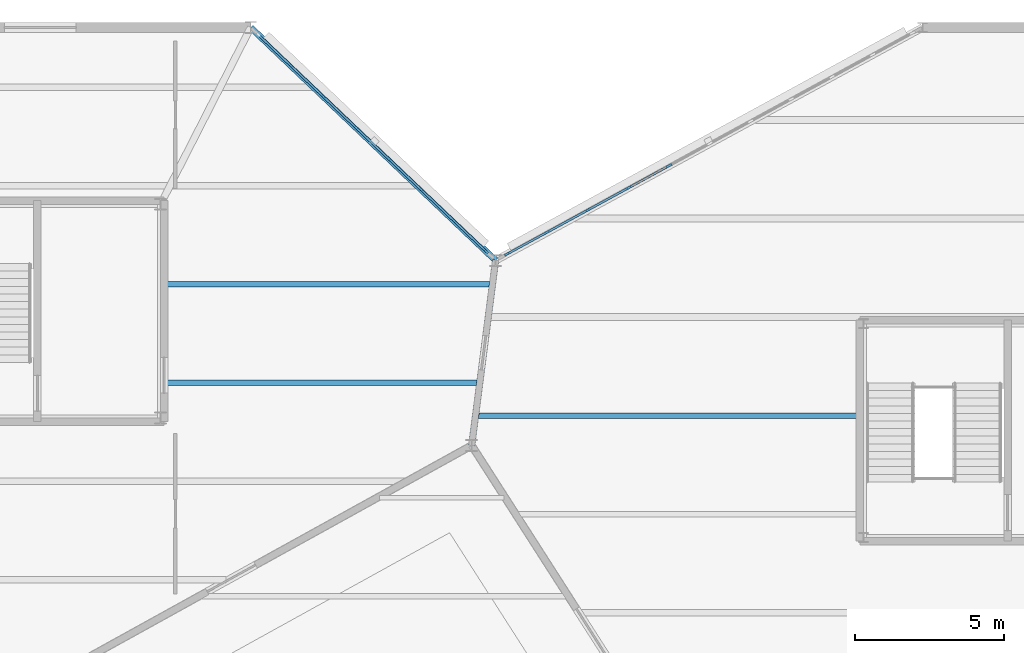
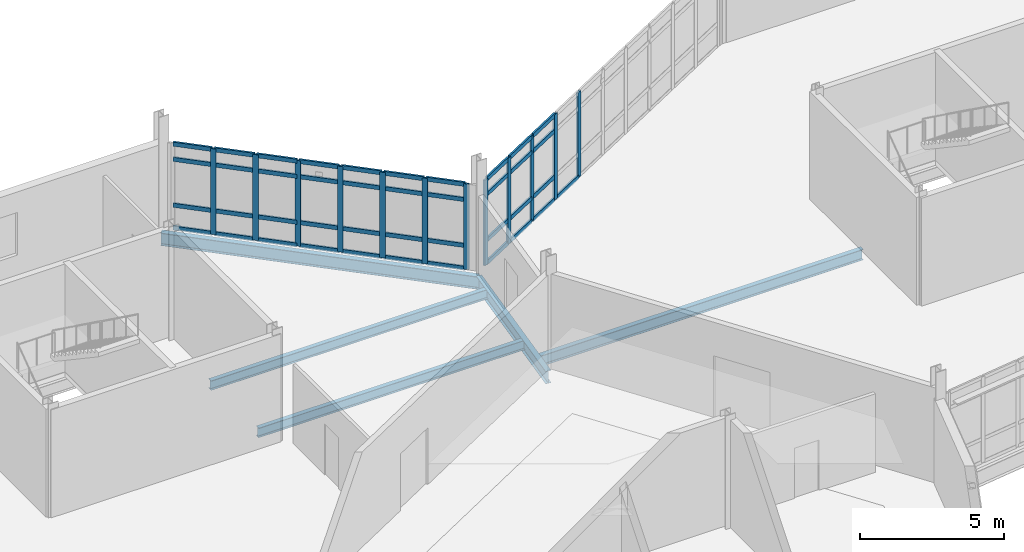
# One storey, part 78 of 134: 53 members, 5 beams, 2 elements without a shape of their own.
"""IFC4 building model written with IfcOpenShell, lengths in metres."""

from ifc_helpers import new_model, si_unit, direction, frame, origin, origin_2d, place, context, subcontext, project, spatial, rectangle, i_section, extrude, material, material_profile, profile_set, type_object, element, aggregate, save


model = new_model("IFC4")

# Units and contexts
model_context = context("Model", 3, precision=1e-05, world=origin(), true_north=direction((0.0, 1.0)))
body_context = subcontext(model_context, "Body", "Model", "MODEL_VIEW")
ifc_project = project(units=[si_unit("LENGTHUNIT", "METRE"), si_unit("AREAUNIT", "SQUARE_METRE"), si_unit("VOLUMEUNIT", "CUBIC_METRE"), si_unit("PLANEANGLEUNIT", "RADIAN"), si_unit("MASSUNIT", "GRAM", prefix="KILO")], contexts=[model_context])

# Site, building, storey
site_placement = place(None, origin())
site = spatial("IfcSite", under=ifc_project, at=site_placement, CompositionType="ELEMENT")
building_placement = place(site_placement, origin())
building = spatial("IfcBuilding", under=site, at=building_placement, Name="Tameran Prism Museum", CompositionType="ELEMENT")
storey_placement = place(building_placement, frame((0.0, 0.0, 5.39990234375)))
storey = spatial("IfcBuildingStorey", under=building, at=storey_placement, Name="L01", CompositionType="ELEMENT", Elevation=5.39990234375)

# Beams
ifc_material_1 = material(Name="Steel Grade 300PLUS (300 MPa)", Category="steel")
ifc_material_profile_1 = material_profile(ifc_material_1, i_section(OverallWidth=0.177978515625, OverallDepth=0.403076171875, WebThickness=0.007568359375, FlangeThickness=0.010986328125, FilletRadius=0.011474609375, at=origin_2d()))
ifc_profile_set_1 = profile_set([ifc_material_profile_1])
beam_type_1 = type_object("IfcBeamType", Name="BM-J410B", PredefinedType="JOIST", material=ifc_profile_set_1)
beam_1_placement = place(storey_placement, frame((124.47998046875, 100.10009765625, -0.4013671875), z_axis=(1.0, 0.0, 0.0), x_axis=(0.0, 1.0, 0.0)))
element("IfcBeam", 1, at=beam_1_placement, inside=storey, type_object=beam_type_1, Name="Floor Beam BM-0525", PredefinedType="JOIST", context=body_context, shape_type="SweptSolid", body=[
    extrude(i_section(OverallWidth=0.177978515625, OverallDepth=0.403076171875, WebThickness=0.007568359375, FlangeThickness=0.010986328125, FilletRadius=0.011474609375, at=origin_2d()), origin(), (0.0, 0.0, 1.0), 10.651123046875),
])
beam_2_placement = place(storey_placement, frame((124.47998046875, 103.39990234375, -0.4013671875), z_axis=(1.0, 0.0, 0.0), x_axis=(0.0, 1.0, 0.0)))
element("IfcBeam", 2, at=beam_2_placement, inside=storey, type_object=beam_type_1, Name="Floor Beam BM-0527", PredefinedType="JOIST", context=body_context, shape_type="SweptSolid", body=[
    extrude(i_section(OverallWidth=0.177978515625, OverallDepth=0.403076171875, WebThickness=0.007568359375, FlangeThickness=0.010986328125, FilletRadius=0.011474609375, at=origin_2d()), origin(), (0.0, 0.0, 1.0), 11.075927734375),
])
ifc_material_2 = material(Name="Steel Grade 300PLUS (300 MPa)", Category="steel")
ifc_material_profile_2 = material_profile(ifc_material_2, i_section(OverallWidth=0.18994140625, OverallDepth=0.4541015625, WebThickness=0.008544921875, FlangeThickness=0.0126953125, FilletRadius=0.011474609375, at=origin_2d()))
ifc_profile_set_2 = profile_set([ifc_material_profile_2])
beam_type_2 = type_object("IfcBeamType", Name="BM-J460B", PredefinedType="JOIST", material=ifc_profile_set_2)
beam_3_placement = place(storey_placement, frame((135.069091796875, 99.0, -0.427001953125), z_axis=(1.0, 0.0, 0.0), x_axis=(0.0, 1.0, 0.0)))
element("IfcBeam", 3, at=beam_3_placement, inside=storey, type_object=beam_type_2, Name="Floor Beam BM-0534", PredefinedType="JOIST", context=body_context, shape_type="SweptSolid", body=[
    extrude(i_section(OverallWidth=0.18994140625, OverallDepth=0.4541015625, WebThickness=0.008544921875, FlangeThickness=0.0126953125, FilletRadius=0.011474609375, at=origin_2d()), origin(), (0.0, 0.0, 1.0), 12.950927734375),
])
ifc_material_3 = material(Name="Steel Grade 300PLUS (300 MPa)", Category="steel")
ifc_material_profile_3 = material_profile(ifc_material_3, i_section(OverallWidth=0.208984375, OverallDepth=0.532958984375, WebThickness=0.01025390625, FlangeThickness=0.015625, FilletRadius=0.013916015625, at=origin_2d()))
ifc_profile_set_3 = profile_set([ifc_material_profile_3])
beam_type_3 = type_object("IfcBeamType", Name="BM-SP530A", PredefinedType="SPANDREL", material=ifc_profile_set_3)
beam_4_placement = place(storey_placement, frame((135.699951171875, 104.199951171875, -0.46630859375), z_axis=(-0.724553857676, 0.689218185575, 0.0), x_axis=(-0.689218185575, -0.724553857676, 0.0)))
element("IfcBeam", 4, at=beam_4_placement, inside=storey, type_object=beam_type_3, Name="Perimeter Spandrel SP-0336", PredefinedType="SPANDREL", context=body_context, shape_type="SweptSolid", body=[
    extrude(i_section(OverallWidth=0.208984375, OverallDepth=0.532958984375, WebThickness=0.01025390625, FlangeThickness=0.015625, FilletRadius=0.013916015625, at=origin_2d()), origin(), (0.0, 0.0, 1.0), 11.317138671875),
])
ifc_material_4 = material(Name="Steel Grade 300PLUS (300 MPa)", Category="steel")
ifc_material_profile_4 = material_profile(ifc_material_4, i_section(OverallWidth=0.208984375, OverallDepth=0.528076171875, WebThickness=0.009521484375, FlangeThickness=0.01318359375, FilletRadius=0.013916015625, at=origin_2d()))
ifc_profile_set_4 = profile_set([ifc_material_profile_4])
beam_type_4 = type_object("IfcBeamType", Name="BM-SP530B", PredefinedType="SPANDREL", material=ifc_profile_set_4)
beam_5_placement = place(storey_placement, frame((134.89990234375, 98.0, -0.4638671875), z_axis=(0.127980011854, 0.991776747341, 0.0), x_axis=(-0.991776747341, 0.127980011854, 0.0)))
element("IfcBeam", 5, at=beam_5_placement, inside=storey, type_object=beam_type_4, Name="Perimeter Spandrel SP-0335", PredefinedType="SPANDREL", context=body_context, shape_type="SweptSolid", body=[
    extrude(i_section(OverallWidth=0.208984375, OverallDepth=0.528076171875, WebThickness=0.009521484375, FlangeThickness=0.01318359375, FilletRadius=0.013916015625, at=origin_2d()), origin(), (0.0, 0.0, 1.0), 6.25146484375),
])

# Curtain wall, members
ifc_material_5 = material(Name="Anodised Aluminium 6063-T6 and Cyclone Solar Glass", Category="aluminium")
curtain_wall_type_1 = type_object("IfcCurtainWallType", Name="CW-FAC-1056x362", PredefinedType="USERDEFINED", material=ifc_material_5)
curtain_wall_1_placement = place(storey_placement, origin())
curtain_wall_1 = element("IfcCurtainWall", 6, at=curtain_wall_1_placement, inside=storey, type_object=curtain_wall_type_1, Name="Unitised Curtain Wall CW-057", ObjectType="UNITISED CURTAIN WALL", PredefinedType="USERDEFINED")
ifc_material_6 = material(Name="Anodised Aluminium Alloy 6063-T6", Category="aluminium")
ifc_material_profile_5 = material_profile(ifc_material_6, rectangle(XDim=0.074951171875, YDim=0.199951171875, at=origin_2d()))
ifc_profile_set_5 = profile_set([ifc_material_profile_5])
member_type_1 = type_object("IfcMemberType", Name="CW-MUL-C", PredefinedType="MULLION", material=ifc_profile_set_5)
member_1_placement = place(storey_placement, frame((128.8466796875, 110.719482421875, 0.0), z_axis=(0.0, 0.0, 1.0), x_axis=(0.689269554042, 0.724504990922, 0.0)))
member_1 = element("IfcMember", 7, at=member_1_placement, type_object=member_type_1, Name="CW-057 mullion 2", PredefinedType="MULLION", context=body_context, shape_type="SweptSolid", body=[
    extrude(rectangle(XDim=0.074951171875, YDim=0.199951171875, at=origin_2d()), origin(), (0.0, 0.0, 1.0), 3.6201171875),
])
member_2_placement = place(storey_placement, frame((129.939453125, 109.679931640625, 0.0), z_axis=(0.0, 0.0, 1.0), x_axis=(0.689269554042, 0.724504990922, 0.0)))
member_2 = element("IfcMember", 8, at=member_2_placement, type_object=member_type_1, Name="CW-057 mullion 3", PredefinedType="MULLION", context=body_context, shape_type="SweptSolid", body=[
    extrude(rectangle(XDim=0.074951171875, YDim=0.199951171875, at=origin_2d()), origin(), (0.0, 0.0, 1.0), 3.6201171875),
])
member_3_placement = place(storey_placement, frame((131.0322265625, 108.640380859375, 0.0), z_axis=(0.0, 0.0, 1.0), x_axis=(0.689269554042, 0.724504990922, 0.0)))
member_3 = element("IfcMember", 9, at=member_3_placement, type_object=member_type_1, Name="CW-057 mullion 4", PredefinedType="MULLION", context=body_context, shape_type="SweptSolid", body=[
    extrude(rectangle(XDim=0.074951171875, YDim=0.199951171875, at=origin_2d()), origin(), (0.0, 0.0, 1.0), 3.6201171875),
])
member_4_placement = place(storey_placement, frame((132.124755859375, 107.600830078125, 0.0), z_axis=(0.0, 0.0, 1.0), x_axis=(0.689269554042, 0.724504990922, 0.0)))
member_4 = element("IfcMember", 10, at=member_4_placement, type_object=member_type_1, Name="CW-057 mullion 5", PredefinedType="MULLION", context=body_context, shape_type="SweptSolid", body=[
    extrude(rectangle(XDim=0.074951171875, YDim=0.199951171875, at=origin_2d()), origin(), (0.0, 0.0, 1.0), 3.6201171875),
])
member_5_placement = place(storey_placement, frame((133.217529296875, 106.56103515625, 0.0), z_axis=(0.0, 0.0, 1.0), x_axis=(0.689269554042, 0.724504990922, 0.0)))
member_5 = element("IfcMember", 11, at=member_5_placement, type_object=member_type_1, Name="CW-057 mullion 6", PredefinedType="MULLION", context=body_context, shape_type="SweptSolid", body=[
    extrude(rectangle(XDim=0.074951171875, YDim=0.199951171875, at=origin_2d()), origin(), (0.0, 0.0, 1.0), 3.6201171875),
])
member_6_placement = place(storey_placement, frame((134.310302734375, 105.521484375, 0.0), z_axis=(0.0, 0.0, 1.0), x_axis=(0.689269554042, 0.724504990922, 0.0)))
member_6 = element("IfcMember", 12, at=member_6_placement, type_object=member_type_1, Name="CW-057 mullion 7", PredefinedType="MULLION", context=body_context, shape_type="SweptSolid", body=[
    extrude(rectangle(XDim=0.074951171875, YDim=0.199951171875, at=origin_2d()), origin(), (0.0, 0.0, 1.0), 3.6201171875),
])
member_7_placement = place(storey_placement, frame((135.375732421875, 104.5078125, 0.0), z_axis=(0.0, 0.0, 1.0), x_axis=(0.689269554042, 0.724504990922, 0.0)))
member_7 = element("IfcMember", 13, at=member_7_placement, type_object=member_type_1, Name="CW-057 mullion 8", PredefinedType="MULLION", context=body_context, shape_type="SweptSolid", body=[
    extrude(rectangle(XDim=0.074951171875, YDim=0.199951171875, at=origin_2d()), origin(), (0.0, 0.0, 1.0), 3.6201171875),
])

ifc_material_7 = material(Name="Anodised Aluminium 6063-T6 and Cyclone Solar Glass", Category="aluminium")
curtain_wall_type_2 = type_object("IfcCurtainWallType", Name="CW-FAC-1553x362", PredefinedType="USERDEFINED", material=ifc_material_7)
curtain_wall_2_placement = place(storey_placement, origin())
curtain_wall_2 = element("IfcCurtainWall", 14, at=curtain_wall_2_placement, inside=storey, type_object=curtain_wall_type_2, Name="Unitised Curtain Wall CW-061", ObjectType="UNITISED CURTAIN WALL", PredefinedType="USERDEFINED")
member_8_placement = place(storey_placement, frame((136.093017578125, 104.4150390625, 0.0), z_axis=(0.0, 0.0, 1.0), x_axis=(-0.478793474805, 0.877927564486, 0.0)))
member_8 = element("IfcMember", 15, at=member_8_placement, type_object=member_type_1, Name="CW-061 mullion 1", PredefinedType="MULLION", context=body_context, shape_type="SweptSolid", body=[
    extrude(rectangle(XDim=0.074951171875, YDim=0.199951171875, at=origin_2d()), origin(), (0.0, 0.0, 1.0), 3.6201171875),
])
member_9_placement = place(storey_placement, frame((137.42333984375, 105.140380859375, 0.0), z_axis=(0.0, 0.0, 1.0), x_axis=(-0.478793474805, 0.877927564486, 0.0)))
member_9 = element("IfcMember", 16, at=member_9_placement, type_object=member_type_1, Name="CW-061 mullion 2", PredefinedType="MULLION", context=body_context, shape_type="SweptSolid", body=[
    extrude(rectangle(XDim=0.074951171875, YDim=0.199951171875, at=origin_2d()), origin(), (0.0, 0.0, 1.0), 3.6201171875),
])
member_10_placement = place(storey_placement, frame((138.78662109375, 105.884033203125, 0.0), z_axis=(0.0, 0.0, 1.0), x_axis=(-0.478793474805, 0.877927564486, 0.0)))
member_10 = element("IfcMember", 17, at=member_10_placement, type_object=member_type_1, Name="CW-061 mullion 3", PredefinedType="MULLION", context=body_context, shape_type="SweptSolid", body=[
    extrude(rectangle(XDim=0.074951171875, YDim=0.199951171875, at=origin_2d()), origin(), (0.0, 0.0, 1.0), 3.6201171875),
])
member_11_placement = place(storey_placement, frame((140.14990234375, 106.62744140625, 0.0), z_axis=(0.0, 0.0, 1.0), x_axis=(-0.478793474805, 0.877927564486, 0.0)))
member_11 = element("IfcMember", 18, at=member_11_placement, type_object=member_type_1, Name="CW-061 mullion 4", PredefinedType="MULLION", context=body_context, shape_type="SweptSolid", body=[
    extrude(rectangle(XDim=0.074951171875, YDim=0.199951171875, at=origin_2d()), origin(), (0.0, 0.0, 1.0), 3.6201171875),
])
member_12_placement = place(storey_placement, frame((141.51318359375, 107.37109375, 0.0), z_axis=(0.0, 0.0, 1.0), x_axis=(-0.478793474805, 0.877927564486, 0.0)))
member_12 = element("IfcMember", 19, at=member_12_placement, type_object=member_type_1, Name="CW-061 mullion 5", PredefinedType="MULLION", context=body_context, shape_type="SweptSolid", body=[
    extrude(rectangle(XDim=0.074951171875, YDim=0.199951171875, at=origin_2d()), origin(), (0.0, 0.0, 1.0), 3.6201171875),
])

# Member
ifc_material_8 = material(Name="Anodised Aluminium Alloy 6063-T6", Category="aluminium")
ifc_material_profile_6 = material_profile(ifc_material_8, rectangle(XDim=0.074951171875, YDim=0.175048828125, at=origin_2d()))
ifc_profile_set_6 = profile_set([ifc_material_profile_6])
member_type_2 = type_object("IfcMemberType", Name="CW-TRN-C", PredefinedType="USERDEFINED", material=ifc_profile_set_6)
member_13_placement = place(storey_placement, frame((127.808349609375, 111.707275390625, 0.03759765625), z_axis=(0.724553800457, -0.689218245727, 0.0), x_axis=(0.689218245727, 0.724553800457, 0.0)))
member_13 = element("IfcMember", 20, at=member_13_placement, type_object=member_type_2, Name="CW-057 transom 1.1", ObjectType="TRANSOM", PredefinedType="USERDEFINED", context=body_context, shape_type="SweptSolid", body=[
    extrude(rectangle(XDim=0.074951171875, YDim=0.175048828125, at=origin_2d()), origin(), (0.0, 0.0, 1.0), 1.395751953125),
])

member_14_placement = place(storey_placement, frame((127.808349609375, 111.707275390625, 1.0), z_axis=(0.724553800457, -0.689218245727, 0.0), x_axis=(0.689218245727, 0.724553800457, 0.0)))
member_14 = element("IfcMember", 21, at=member_14_placement, type_object=member_type_2, Name="CW-057 transom 1.2", ObjectType="TRANSOM", PredefinedType="USERDEFINED", context=body_context, shape_type="SweptSolid", body=[
    extrude(rectangle(XDim=0.074951171875, YDim=0.175048828125, at=origin_2d()), origin(), (0.0, 0.0, 1.0), 1.395751953125),
])

member_15_placement = place(storey_placement, frame((127.808349609375, 111.707275390625, 2.940185546875), z_axis=(0.724553800457, -0.689218245727, 0.0), x_axis=(0.689218245727, 0.724553800457, 0.0)))
member_15 = element("IfcMember", 22, at=member_15_placement, type_object=member_type_2, Name="CW-057 transom 1.3", ObjectType="TRANSOM", PredefinedType="USERDEFINED", context=body_context, shape_type="SweptSolid", body=[
    extrude(rectangle(XDim=0.074951171875, YDim=0.175048828125, at=origin_2d()), origin(), (0.0, 0.0, 1.0), 1.395751953125),
])

member_16_placement = place(storey_placement, frame((127.808349609375, 111.707275390625, 3.58251953125), z_axis=(0.724553800457, -0.689218245727, 0.0), x_axis=(0.689218245727, 0.724553800457, 0.0)))
member_16 = element("IfcMember", 23, at=member_16_placement, type_object=member_type_2, Name="CW-057 transom 1.4", ObjectType="TRANSOM", PredefinedType="USERDEFINED", context=body_context, shape_type="SweptSolid", body=[
    extrude(rectangle(XDim=0.074951171875, YDim=0.175048828125, at=origin_2d()), origin(), (0.0, 0.0, 1.0), 1.395751953125),
])

member_17_placement = place(storey_placement, frame((128.873779296875, 110.693603515625, 0.03759765625), z_axis=(0.724599553283, -0.689170144001, 0.0), x_axis=(0.689170144001, 0.724599553283, 0.0)))
member_17 = element("IfcMember", 24, at=member_17_placement, type_object=member_type_2, Name="CW-057 transom 2.1", ObjectType="TRANSOM", PredefinedType="USERDEFINED", context=body_context, shape_type="SweptSolid", body=[
    extrude(rectangle(XDim=0.074951171875, YDim=0.175048828125, at=origin_2d()), origin(), (0.0, 0.0, 1.0), 1.433349609375),
])

member_18_placement = place(storey_placement, frame((128.873779296875, 110.693603515625, 1.0), z_axis=(0.724599553283, -0.689170144001, 0.0), x_axis=(0.689170144001, 0.724599553283, 0.0)))
member_18 = element("IfcMember", 25, at=member_18_placement, type_object=member_type_2, Name="CW-057 transom 2.2", ObjectType="TRANSOM", PredefinedType="USERDEFINED", context=body_context, shape_type="SweptSolid", body=[
    extrude(rectangle(XDim=0.074951171875, YDim=0.175048828125, at=origin_2d()), origin(), (0.0, 0.0, 1.0), 1.433349609375),
])

member_19_placement = place(storey_placement, frame((128.873779296875, 110.693603515625, 2.940185546875), z_axis=(0.724599553283, -0.689170144001, 0.0), x_axis=(0.689170144001, 0.724599553283, 0.0)))
member_19 = element("IfcMember", 26, at=member_19_placement, type_object=member_type_2, Name="CW-057 transom 2.3", ObjectType="TRANSOM", PredefinedType="USERDEFINED", context=body_context, shape_type="SweptSolid", body=[
    extrude(rectangle(XDim=0.074951171875, YDim=0.175048828125, at=origin_2d()), origin(), (0.0, 0.0, 1.0), 1.433349609375),
])

member_20_placement = place(storey_placement, frame((128.873779296875, 110.693603515625, 3.58251953125), z_axis=(0.724599553283, -0.689170144001, 0.0), x_axis=(0.689170144001, 0.724599553283, 0.0)))
member_20 = element("IfcMember", 27, at=member_20_placement, type_object=member_type_2, Name="CW-057 transom 2.4", ObjectType="TRANSOM", PredefinedType="USERDEFINED", context=body_context, shape_type="SweptSolid", body=[
    extrude(rectangle(XDim=0.074951171875, YDim=0.175048828125, at=origin_2d()), origin(), (0.0, 0.0, 1.0), 1.433349609375),
])

member_21_placement = place(storey_placement, frame((129.966552734375, 109.654052734375, 0.03759765625), z_axis=(0.724433570407, -0.689344617784, 0.0), x_axis=(0.689344617784, 0.724433570407, 0.0)))
member_21 = element("IfcMember", 28, at=member_21_placement, type_object=member_type_2, Name="CW-057 transom 3.1", ObjectType="TRANSOM", PredefinedType="USERDEFINED", context=body_context, shape_type="SweptSolid", body=[
    extrude(rectangle(XDim=0.074951171875, YDim=0.175048828125, at=origin_2d()), origin(), (0.0, 0.0, 1.0), 1.433349609375),
])

member_22_placement = place(storey_placement, frame((129.966552734375, 109.654052734375, 1.0), z_axis=(0.724433570407, -0.689344617784, 0.0), x_axis=(0.689344617784, 0.724433570407, 0.0)))
member_22 = element("IfcMember", 29, at=member_22_placement, type_object=member_type_2, Name="CW-057 transom 3.2", ObjectType="TRANSOM", PredefinedType="USERDEFINED", context=body_context, shape_type="SweptSolid", body=[
    extrude(rectangle(XDim=0.074951171875, YDim=0.175048828125, at=origin_2d()), origin(), (0.0, 0.0, 1.0), 1.433349609375),
])

member_23_placement = place(storey_placement, frame((129.966552734375, 109.654052734375, 2.940185546875), z_axis=(0.724433570407, -0.689344617784, 0.0), x_axis=(0.689344617784, 0.724433570407, 0.0)))
member_23 = element("IfcMember", 30, at=member_23_placement, type_object=member_type_2, Name="CW-057 transom 3.3", ObjectType="TRANSOM", PredefinedType="USERDEFINED", context=body_context, shape_type="SweptSolid", body=[
    extrude(rectangle(XDim=0.074951171875, YDim=0.175048828125, at=origin_2d()), origin(), (0.0, 0.0, 1.0), 1.433349609375),
])

member_24_placement = place(storey_placement, frame((129.966552734375, 109.654052734375, 3.58251953125), z_axis=(0.724433570407, -0.689344617784, 0.0), x_axis=(0.689344617784, 0.724433570407, 0.0)))
member_24 = element("IfcMember", 31, at=member_24_placement, type_object=member_type_2, Name="CW-057 transom 3.4", ObjectType="TRANSOM", PredefinedType="USERDEFINED", context=body_context, shape_type="SweptSolid", body=[
    extrude(rectangle(XDim=0.074951171875, YDim=0.175048828125, at=origin_2d()), origin(), (0.0, 0.0, 1.0), 1.433349609375),
])

member_25_placement = place(storey_placement, frame((131.059326171875, 108.614501953125, 0.03759765625), z_axis=(0.724433570407, -0.689344617784, 0.0), x_axis=(0.689344617784, 0.724433570407, 0.0)))
member_25 = element("IfcMember", 32, at=member_25_placement, type_object=member_type_2, Name="CW-057 transom 4.1", ObjectType="TRANSOM", PredefinedType="USERDEFINED", context=body_context, shape_type="SweptSolid", body=[
    extrude(rectangle(XDim=0.074951171875, YDim=0.175048828125, at=origin_2d()), origin(), (0.0, 0.0, 1.0), 1.433349609375),
])

member_26_placement = place(storey_placement, frame((131.059326171875, 108.614501953125, 1.0), z_axis=(0.724433570407, -0.689344617784, 0.0), x_axis=(0.689344617784, 0.724433570407, 0.0)))
member_26 = element("IfcMember", 33, at=member_26_placement, type_object=member_type_2, Name="CW-057 transom 4.2", ObjectType="TRANSOM", PredefinedType="USERDEFINED", context=body_context, shape_type="SweptSolid", body=[
    extrude(rectangle(XDim=0.074951171875, YDim=0.175048828125, at=origin_2d()), origin(), (0.0, 0.0, 1.0), 1.433349609375),
])

member_27_placement = place(storey_placement, frame((131.059326171875, 108.614501953125, 2.940185546875), z_axis=(0.724433570407, -0.689344617784, 0.0), x_axis=(0.689344617784, 0.724433570407, 0.0)))
member_27 = element("IfcMember", 34, at=member_27_placement, type_object=member_type_2, Name="CW-057 transom 4.3", ObjectType="TRANSOM", PredefinedType="USERDEFINED", context=body_context, shape_type="SweptSolid", body=[
    extrude(rectangle(XDim=0.074951171875, YDim=0.175048828125, at=origin_2d()), origin(), (0.0, 0.0, 1.0), 1.433349609375),
])

member_28_placement = place(storey_placement, frame((131.059326171875, 108.614501953125, 3.58251953125), z_axis=(0.724433570407, -0.689344617784, 0.0), x_axis=(0.689344617784, 0.724433570407, 0.0)))
member_28 = element("IfcMember", 35, at=member_28_placement, type_object=member_type_2, Name="CW-057 transom 4.4", ObjectType="TRANSOM", PredefinedType="USERDEFINED", context=body_context, shape_type="SweptSolid", body=[
    extrude(rectangle(XDim=0.074951171875, YDim=0.175048828125, at=origin_2d()), origin(), (0.0, 0.0, 1.0), 1.433349609375),
])

member_29_placement = place(storey_placement, frame((132.152099609375, 107.574951171875, 0.03759765625), z_axis=(0.724433570407, -0.689344617784, 0.0), x_axis=(0.689344617784, 0.724433570407, 0.0)))
member_29 = element("IfcMember", 36, at=member_29_placement, type_object=member_type_2, Name="CW-057 transom 5.1", ObjectType="TRANSOM", PredefinedType="USERDEFINED", context=body_context, shape_type="SweptSolid", body=[
    extrude(rectangle(XDim=0.074951171875, YDim=0.175048828125, at=origin_2d()), origin(), (0.0, 0.0, 1.0), 1.433349609375),
])

member_30_placement = place(storey_placement, frame((132.152099609375, 107.574951171875, 1.0), z_axis=(0.724433570407, -0.689344617784, 0.0), x_axis=(0.689344617784, 0.724433570407, 0.0)))
member_30 = element("IfcMember", 37, at=member_30_placement, type_object=member_type_2, Name="CW-057 transom 5.2", ObjectType="TRANSOM", PredefinedType="USERDEFINED", context=body_context, shape_type="SweptSolid", body=[
    extrude(rectangle(XDim=0.074951171875, YDim=0.175048828125, at=origin_2d()), origin(), (0.0, 0.0, 1.0), 1.433349609375),
])

member_31_placement = place(storey_placement, frame((132.152099609375, 107.574951171875, 2.940185546875), z_axis=(0.724433570407, -0.689344617784, 0.0), x_axis=(0.689344617784, 0.724433570407, 0.0)))
member_31 = element("IfcMember", 38, at=member_31_placement, type_object=member_type_2, Name="CW-057 transom 5.3", ObjectType="TRANSOM", PredefinedType="USERDEFINED", context=body_context, shape_type="SweptSolid", body=[
    extrude(rectangle(XDim=0.074951171875, YDim=0.175048828125, at=origin_2d()), origin(), (0.0, 0.0, 1.0), 1.433349609375),
])

member_32_placement = place(storey_placement, frame((132.152099609375, 107.574951171875, 3.58251953125), z_axis=(0.724433570407, -0.689344617784, 0.0), x_axis=(0.689344617784, 0.724433570407, 0.0)))
member_32 = element("IfcMember", 39, at=member_32_placement, type_object=member_type_2, Name="CW-057 transom 5.4", ObjectType="TRANSOM", PredefinedType="USERDEFINED", context=body_context, shape_type="SweptSolid", body=[
    extrude(rectangle(XDim=0.074951171875, YDim=0.175048828125, at=origin_2d()), origin(), (0.0, 0.0, 1.0), 1.433349609375),
])

member_33_placement = place(storey_placement, frame((133.24462890625, 106.535400390625, 0.03759765625), z_axis=(0.724514497805, -0.689259561029, 0.0), x_axis=(0.689259561029, 0.724514497805, 0.0)))
member_33 = element("IfcMember", 40, at=member_33_placement, type_object=member_type_2, Name="CW-057 transom 6.1", ObjectType="TRANSOM", PredefinedType="USERDEFINED", context=body_context, shape_type="SweptSolid", body=[
    extrude(rectangle(XDim=0.074951171875, YDim=0.175048828125, at=origin_2d()), origin(), (0.0, 0.0, 1.0), 1.43359375),
])

member_34_placement = place(storey_placement, frame((133.24462890625, 106.535400390625, 1.0), z_axis=(0.724514497805, -0.689259561029, 0.0), x_axis=(0.689259561029, 0.724514497805, 0.0)))
member_34 = element("IfcMember", 41, at=member_34_placement, type_object=member_type_2, Name="CW-057 transom 6.2", ObjectType="TRANSOM", PredefinedType="USERDEFINED", context=body_context, shape_type="SweptSolid", body=[
    extrude(rectangle(XDim=0.074951171875, YDim=0.175048828125, at=origin_2d()), origin(), (0.0, 0.0, 1.0), 1.43359375),
])

member_35_placement = place(storey_placement, frame((133.24462890625, 106.535400390625, 2.940185546875), z_axis=(0.724514497805, -0.689259561029, 0.0), x_axis=(0.689259561029, 0.724514497805, 0.0)))
member_35 = element("IfcMember", 42, at=member_35_placement, type_object=member_type_2, Name="CW-057 transom 6.3", ObjectType="TRANSOM", PredefinedType="USERDEFINED", context=body_context, shape_type="SweptSolid", body=[
    extrude(rectangle(XDim=0.074951171875, YDim=0.175048828125, at=origin_2d()), origin(), (0.0, 0.0, 1.0), 1.43359375),
])

member_36_placement = place(storey_placement, frame((133.24462890625, 106.535400390625, 3.58251953125), z_axis=(0.724514497805, -0.689259561029, 0.0), x_axis=(0.689259561029, 0.724514497805, 0.0)))
member_36 = element("IfcMember", 43, at=member_36_placement, type_object=member_type_2, Name="CW-057 transom 6.4", ObjectType="TRANSOM", PredefinedType="USERDEFINED", context=body_context, shape_type="SweptSolid", body=[
    extrude(rectangle(XDim=0.074951171875, YDim=0.175048828125, at=origin_2d()), origin(), (0.0, 0.0, 1.0), 1.43359375),
])

member_37_placement = place(storey_placement, frame((134.33740234375, 105.49560546875, 0.03759765625), z_axis=(0.724553800457, -0.689218245727, 0.0), x_axis=(0.689218245727, 0.724553800457, 0.0)))
member_37 = element("IfcMember", 44, at=member_37_placement, type_object=member_type_2, Name="CW-057 transom 7.1", ObjectType="TRANSOM", PredefinedType="USERDEFINED", context=body_context, shape_type="SweptSolid", body=[
    extrude(rectangle(XDim=0.074951171875, YDim=0.175048828125, at=origin_2d()), origin(), (0.0, 0.0, 1.0), 1.395751953125),
])

member_38_placement = place(storey_placement, frame((134.33740234375, 105.49560546875, 1.0), z_axis=(0.724553800457, -0.689218245727, 0.0), x_axis=(0.689218245727, 0.724553800457, 0.0)))
member_38 = element("IfcMember", 45, at=member_38_placement, type_object=member_type_2, Name="CW-057 transom 7.2", ObjectType="TRANSOM", PredefinedType="USERDEFINED", context=body_context, shape_type="SweptSolid", body=[
    extrude(rectangle(XDim=0.074951171875, YDim=0.175048828125, at=origin_2d()), origin(), (0.0, 0.0, 1.0), 1.395751953125),
])

member_39_placement = place(storey_placement, frame((134.33740234375, 105.49560546875, 2.940185546875), z_axis=(0.724553800457, -0.689218245727, 0.0), x_axis=(0.689218245727, 0.724553800457, 0.0)))
member_39 = element("IfcMember", 46, at=member_39_placement, type_object=member_type_2, Name="CW-057 transom 7.3", ObjectType="TRANSOM", PredefinedType="USERDEFINED", context=body_context, shape_type="SweptSolid", body=[
    extrude(rectangle(XDim=0.074951171875, YDim=0.175048828125, at=origin_2d()), origin(), (0.0, 0.0, 1.0), 1.395751953125),
])

member_40_placement = place(storey_placement, frame((134.33740234375, 105.49560546875, 3.58251953125), z_axis=(0.724553800457, -0.689218245727, 0.0), x_axis=(0.689218245727, 0.724553800457, 0.0)))
member_40 = element("IfcMember", 47, at=member_40_placement, type_object=member_type_2, Name="CW-057 transom 7.4", ObjectType="TRANSOM", PredefinedType="USERDEFINED", context=body_context, shape_type="SweptSolid", body=[
    extrude(rectangle(XDim=0.074951171875, YDim=0.175048828125, at=origin_2d()), origin(), (0.0, 0.0, 1.0), 1.395751953125),
])

aggregate(curtain_wall_1, [member_1, member_2, member_3, member_4, member_5, member_6, member_7, member_13, member_14, member_15, member_16, member_17, member_18, member_19, member_20, member_21, member_22, member_23, member_24, member_25, member_26, member_27, member_28, member_29, member_30, member_31, member_32, member_33, member_34, member_35, member_36, member_37, member_38, member_39, member_40])

member_41_placement = place(storey_placement, frame((136.125732421875, 104.432861328125, 0.03759765625), z_axis=(0.877927956415, 0.478792756153, 0.0), x_axis=(-0.478792756153, 0.877927956415, 0.0)))
member_41 = element("IfcMember", 48, at=member_41_placement, type_object=member_type_2, Name="CW-061 transom 1.1", ObjectType="TRANSOM", PredefinedType="USERDEFINED", context=body_context, shape_type="SweptSolid", body=[
    extrude(rectangle(XDim=0.074951171875, YDim=0.175048828125, at=origin_2d()), origin(), (0.0, 0.0, 1.0), 1.4404296875),
])

member_42_placement = place(storey_placement, frame((136.125732421875, 104.432861328125, 1.0), z_axis=(0.877927956415, 0.478792756153, 0.0), x_axis=(-0.478792756153, 0.877927956415, 0.0)))
member_42 = element("IfcMember", 49, at=member_42_placement, type_object=member_type_2, Name="CW-061 transom 1.2", ObjectType="TRANSOM", PredefinedType="USERDEFINED", context=body_context, shape_type="SweptSolid", body=[
    extrude(rectangle(XDim=0.074951171875, YDim=0.175048828125, at=origin_2d()), origin(), (0.0, 0.0, 1.0), 1.4404296875),
])

member_43_placement = place(storey_placement, frame((136.125732421875, 104.432861328125, 2.940185546875), z_axis=(0.877927956415, 0.478792756153, 0.0), x_axis=(-0.478792756153, 0.877927956415, 0.0)))
member_43 = element("IfcMember", 50, at=member_43_placement, type_object=member_type_2, Name="CW-061 transom 1.3", ObjectType="TRANSOM", PredefinedType="USERDEFINED", context=body_context, shape_type="SweptSolid", body=[
    extrude(rectangle(XDim=0.074951171875, YDim=0.175048828125, at=origin_2d()), origin(), (0.0, 0.0, 1.0), 1.4404296875),
])

member_44_placement = place(storey_placement, frame((136.125732421875, 104.432861328125, 3.58251953125), z_axis=(0.877927956415, 0.478792756153, 0.0), x_axis=(-0.478792756153, 0.877927956415, 0.0)))
member_44 = element("IfcMember", 51, at=member_44_placement, type_object=member_type_2, Name="CW-061 transom 1.4", ObjectType="TRANSOM", PredefinedType="USERDEFINED", context=body_context, shape_type="SweptSolid", body=[
    extrude(rectangle(XDim=0.074951171875, YDim=0.175048828125, at=origin_2d()), origin(), (0.0, 0.0, 1.0), 1.4404296875),
])

member_45_placement = place(storey_placement, frame((137.456298828125, 105.158447265625, 0.03759765625), z_axis=(0.877933453039, 0.47878267725, 0.0), x_axis=(-0.47878267725, 0.877933453039, 0.0)))
member_45 = element("IfcMember", 52, at=member_45_placement, type_object=member_type_2, Name="CW-061 transom 2.1", ObjectType="TRANSOM", PredefinedType="USERDEFINED", context=body_context, shape_type="SweptSolid", body=[
    extrude(rectangle(XDim=0.074951171875, YDim=0.175048828125, at=origin_2d()), origin(), (0.0, 0.0, 1.0), 1.477783203125),
])

member_46_placement = place(storey_placement, frame((137.456298828125, 105.158447265625, 1.0), z_axis=(0.877933453039, 0.47878267725, 0.0), x_axis=(-0.47878267725, 0.877933453039, 0.0)))
member_46 = element("IfcMember", 53, at=member_46_placement, type_object=member_type_2, Name="CW-061 transom 2.2", ObjectType="TRANSOM", PredefinedType="USERDEFINED", context=body_context, shape_type="SweptSolid", body=[
    extrude(rectangle(XDim=0.074951171875, YDim=0.175048828125, at=origin_2d()), origin(), (0.0, 0.0, 1.0), 1.477783203125),
])

member_47_placement = place(storey_placement, frame((137.456298828125, 105.158447265625, 2.940185546875), z_axis=(0.877933453039, 0.47878267725, 0.0), x_axis=(-0.47878267725, 0.877933453039, 0.0)))
member_47 = element("IfcMember", 54, at=member_47_placement, type_object=member_type_2, Name="CW-061 transom 2.3", ObjectType="TRANSOM", PredefinedType="USERDEFINED", context=body_context, shape_type="SweptSolid", body=[
    extrude(rectangle(XDim=0.074951171875, YDim=0.175048828125, at=origin_2d()), origin(), (0.0, 0.0, 1.0), 1.477783203125),
])

member_48_placement = place(storey_placement, frame((137.456298828125, 105.158447265625, 3.58251953125), z_axis=(0.877933453039, 0.47878267725, 0.0), x_axis=(-0.47878267725, 0.877933453039, 0.0)))
member_48 = element("IfcMember", 55, at=member_48_placement, type_object=member_type_2, Name="CW-061 transom 2.4", ObjectType="TRANSOM", PredefinedType="USERDEFINED", context=body_context, shape_type="SweptSolid", body=[
    extrude(rectangle(XDim=0.074951171875, YDim=0.175048828125, at=origin_2d()), origin(), (0.0, 0.0, 1.0), 1.477783203125),
])

member_49_placement = place(storey_placement, frame((138.819580078125, 105.90185546875, 0.03759765625), z_axis=(0.877864004444, 0.478910001672, 0.0), x_axis=(-0.478910001672, 0.877864004444, 0.0)))
member_49 = element("IfcMember", 56, at=member_49_placement, type_object=member_type_2, Name="CW-061 transom 3.1", ObjectType="TRANSOM", PredefinedType="USERDEFINED", context=body_context, shape_type="SweptSolid", body=[
    extrude(rectangle(XDim=0.074951171875, YDim=0.175048828125, at=origin_2d()), origin(), (0.0, 0.0, 1.0), 1.477783203125),
])

member_50_placement = place(storey_placement, frame((138.819580078125, 105.90185546875, 1.0), z_axis=(0.877864004444, 0.478910001672, 0.0), x_axis=(-0.478910001672, 0.877864004444, 0.0)))
member_50 = element("IfcMember", 57, at=member_50_placement, type_object=member_type_2, Name="CW-061 transom 3.2", ObjectType="TRANSOM", PredefinedType="USERDEFINED", context=body_context, shape_type="SweptSolid", body=[
    extrude(rectangle(XDim=0.074951171875, YDim=0.175048828125, at=origin_2d()), origin(), (0.0, 0.0, 1.0), 1.477783203125),
])

member_51_placement = place(storey_placement, frame((138.819580078125, 105.90185546875, 2.940185546875), z_axis=(0.877864004444, 0.478910001672, 0.0), x_axis=(-0.478910001672, 0.877864004444, 0.0)))
member_51 = element("IfcMember", 58, at=member_51_placement, type_object=member_type_2, Name="CW-061 transom 3.3", ObjectType="TRANSOM", PredefinedType="USERDEFINED", context=body_context, shape_type="SweptSolid", body=[
    extrude(rectangle(XDim=0.074951171875, YDim=0.175048828125, at=origin_2d()), origin(), (0.0, 0.0, 1.0), 1.477783203125),
])

member_52_placement = place(storey_placement, frame((138.819580078125, 105.90185546875, 3.58251953125), z_axis=(0.877864004444, 0.478910001672, 0.0), x_axis=(-0.478910001672, 0.877864004444, 0.0)))
member_52 = element("IfcMember", 59, at=member_52_placement, type_object=member_type_2, Name="CW-061 transom 3.4", ObjectType="TRANSOM", PredefinedType="USERDEFINED", context=body_context, shape_type="SweptSolid", body=[
    extrude(rectangle(XDim=0.074951171875, YDim=0.175048828125, at=origin_2d()), origin(), (0.0, 0.0, 1.0), 1.477783203125),
])

member_53_placement = place(storey_placement, frame((140.182861328125, 106.6455078125, 0.03759765625), z_axis=(0.877933453039, 0.47878267725, 0.0), x_axis=(-0.47878267725, 0.877933453039, 0.0)))
member_53 = element("IfcMember", 60, at=member_53_placement, type_object=member_type_2, Name="CW-061 transom 4.1", ObjectType="TRANSOM", PredefinedType="USERDEFINED", context=body_context, shape_type="SweptSolid", body=[
    extrude(rectangle(XDim=0.074951171875, YDim=0.175048828125, at=origin_2d()), origin(), (0.0, 0.0, 1.0), 1.477783203125),
])

aggregate(curtain_wall_2, [member_8, member_9, member_10, member_11, member_12, member_41, member_42, member_43, member_44, member_45, member_46, member_47, member_48, member_49, member_50, member_51, member_52, member_53])

save(model, "model.ifc")
